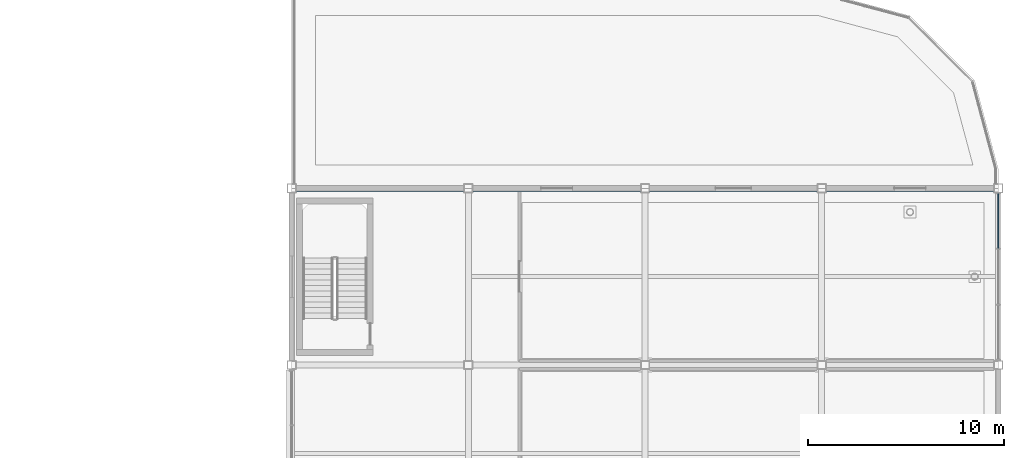
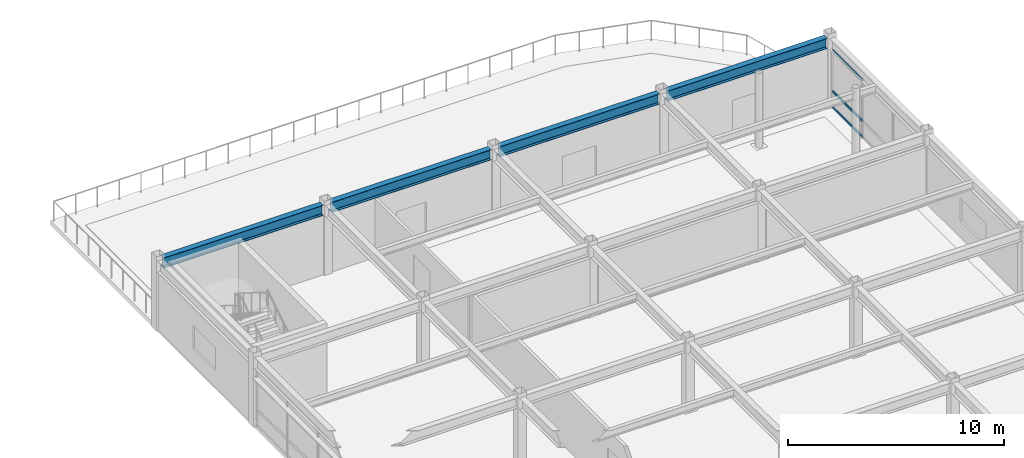
# One storey, part 61 of 108: 4 beams, 3 members, 1 element without a shape of its own.
"""IFC4 building model written with IfcOpenShell, lengths in metres."""

from ifc_helpers import new_model, si_unit, direction, frame, origin, origin_2d, place, context, subcontext, project, spatial, rectangle, i_section, extrude, material, material_profile, profile_set, type_object, element, aggregate, save


model = new_model("IFC4")

# Units and contexts
model_context = context("Model", 3, precision=1e-05, world=origin(), true_north=direction((0.0, 1.0)))
body_context = subcontext(model_context, "Body", "Model", "MODEL_VIEW")
ifc_project = project(units=[si_unit("LENGTHUNIT", "METRE"), si_unit("AREAUNIT", "SQUARE_METRE"), si_unit("VOLUMEUNIT", "CUBIC_METRE"), si_unit("PLANEANGLEUNIT", "RADIAN"), si_unit("MASSUNIT", "GRAM", prefix="KILO")], contexts=[model_context])

# Site, building, storey
site_placement = place(None, origin())
site = spatial("IfcSite", under=ifc_project, at=site_placement, CompositionType="ELEMENT")
building_placement = place(site_placement, origin())
building = spatial("IfcBuilding", under=site, at=building_placement, Name="Suzunagisa Mobility Hub", CompositionType="ELEMENT")
storey_placement = place(building_placement, frame((0.0, 0.0, 9.300048828125)))
storey = spatial("IfcBuildingStorey", under=building, at=storey_placement, Name="L02", CompositionType="ELEMENT", Elevation=9.300048828125)

# Curtain wall, members
ifc_material_1 = material(Name="Thermally Broken Anodized Aluminum and Low-E Glazing", Category="aluminium")
curtain_wall_type = type_object("IfcCurtainWallType", Name="Unitised Curtain Wall CW-43 8500x3300", PredefinedType="USERDEFINED", material=ifc_material_1)
curtain_wall_placement = place(storey_placement, origin())
curtain_wall = element("IfcCurtainWall", 1, at=curtain_wall_placement, inside=storey, type_object=curtain_wall_type, Name="L02 Unitised Curtain Wall CW-200", ObjectType="UNITISED CURTAIN WALL", PredefinedType="USERDEFINED")
ifc_material_2 = material(Name="Anodized Aluminum 6063-T6", Category="aluminium")
ifc_material_profile_1 = material_profile(ifc_material_2, rectangle(XDim=0.06494140625, YDim=0.139892578125, at=origin_2d()), Name="TRAN-65x140")
ifc_profile_set_1 = profile_set([ifc_material_profile_1], Name="Anodized Aluminum 6063-T6")
member_type = type_object("IfcMemberType", Name="Curtain Wall Framing CM-01 TRAN-65x140", PredefinedType="USERDEFINED", material=ifc_profile_set_1)
member_1_placement = place(storey_placement, frame((180.0, 94.952880859375, 0.032470703125), z_axis=(0.0, 1.0, 0.0), x_axis=(-1.0, 0.0, 0.0)))
member_1 = element("IfcMember", 2, at=member_1_placement, type_object=member_type, Name="Curtain Wall Transom 200-T3.1", ObjectType="TRANSOM", PredefinedType="USERDEFINED", context=body_context, shape_type="SweptSolid", body=[
    extrude(rectangle(XDim=0.06494140625, YDim=0.139892578125, at=origin_2d()), origin(), (0.0, 0.0, 1.0), 2.76416015625),
])
member_2_placement = place(storey_placement, frame((180.0, 94.952880859375, 0.949951171875), z_axis=(0.0, 1.0, 0.0), x_axis=(-1.0, 0.0, 0.0)))
member_2 = element("IfcMember", 3, at=member_2_placement, type_object=member_type, Name="Curtain Wall Transom 200-T3.2", ObjectType="TRANSOM", PredefinedType="USERDEFINED", context=body_context, shape_type="SweptSolid", body=[
    extrude(rectangle(XDim=0.06494140625, YDim=0.139892578125, at=origin_2d()), origin(), (0.0, 0.0, 1.0), 2.76416015625),
])
member_3_placement = place(storey_placement, frame((180.0, 94.952880859375, 3.267333984375), z_axis=(0.0, 1.0, 0.0), x_axis=(-1.0, 0.0, 0.0)))
member_3 = element("IfcMember", 4, at=member_3_placement, type_object=member_type, Name="Curtain Wall Transom 200-T3.3", ObjectType="TRANSOM", PredefinedType="USERDEFINED", context=body_context, shape_type="SweptSolid", body=[
    extrude(rectangle(XDim=0.06494140625, YDim=0.139892578125, at=origin_2d()), origin(), (0.0, 0.0, 1.0), 2.76416015625),
])
aggregate(curtain_wall, [member_1, member_2, member_3])

# Beams
ifc_material_3 = material(Name="Steel SN490B", Category="steel")
ifc_material_profile_2 = material_profile(ifc_material_3, i_section(OverallWidth=0.300048828125, OverallDepth=0.587890625, WebThickness=0.011962890625, FlangeThickness=0.02001953125, FilletRadius=0.012939453125, at=origin_2d()), Name="H-588x300x12x20")
ifc_profile_set_2 = profile_set([ifc_material_profile_2], Name="Steel SN490B")
beam_type = type_object("IfcBeamType", Name="Steel Beam BM-16 H-588x300x12x20", PredefinedType="BEAM", material=ifc_profile_set_2)
for number, where, z_axis, x_axis, name in (
    (5, (144.220947265625, 98.0, 3.656005859375), (1.0, 0.0, 0.0), (0.0, 1.0, 0.0), "L02 Primary Girder GX-1908"),
    (6, (153.220947265625, 98.0, 3.656005859375), (1.0, 0.0, 0.0), (0.0, 1.0, 0.0), "L02 Primary Girder GX-1909"),
    (7, (162.220947265625, 98.0, 3.656005859375), (1.0, 0.0, 0.0), (0.0, 1.0, 0.0), "L02 Primary Girder GX-1910"),
    (8, (171.220947265625, 98.0, 3.656005859375), (1.0, 0.0, 0.0), (0.0, 1.0, 0.0), "L02 Primary Girder GX-1911"),
):
    element("IfcBeam", number, at=place(storey_placement, frame(where, z_axis=z_axis, x_axis=x_axis)), inside=storey, type_object=beam_type, Name=name, PredefinedType="BEAM", context=body_context, shape_type="SweptSolid", body=[
        extrude(i_section(OverallWidth=0.300048828125, OverallDepth=0.587890625, WebThickness=0.011962890625, FlangeThickness=0.02001953125, FilletRadius=0.012939453125, at=origin_2d()), origin(), (0.0, 0.0, 1.0), 8.55810546875),
    ])

save(model, "model.ifc")
